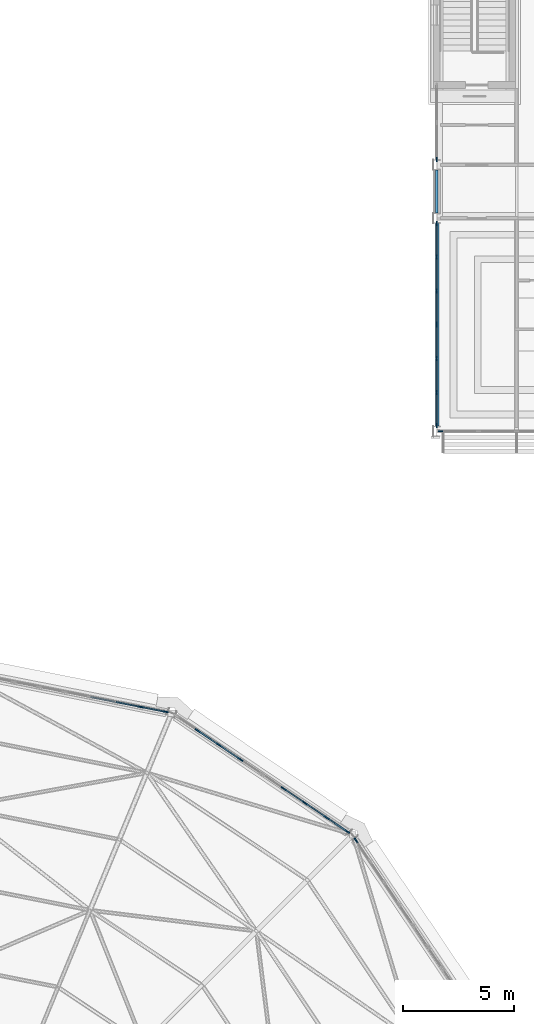
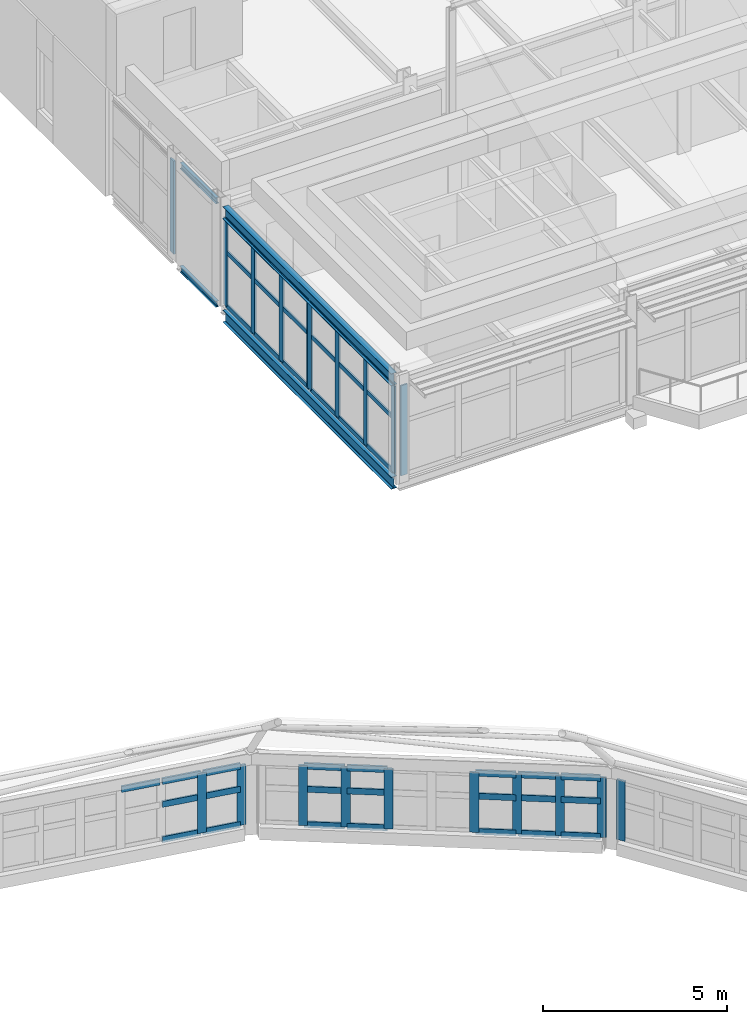
# One storey, part 27 of 68: 60 members, 4 beams, 7 elements without a shape of their own.
"""IFC4 building model written with IfcOpenShell, lengths in metres."""

from ifc_helpers import new_model, si_unit, direction, frame, origin, origin_2d, place, context, subcontext, project, spatial, rectangle, i_section, extrude, material, material_profile, profile_set, type_object, element, aggregate, save


model = new_model("IFC4")

# Units and contexts
model_context = context("Model", 3, precision=1e-05, world=origin(), true_north=direction((0.0, 1.0)))
body_context = subcontext(model_context, "Body", "Model", "MODEL_VIEW")
ifc_project = project(units=[si_unit("LENGTHUNIT", "METRE"), si_unit("AREAUNIT", "SQUARE_METRE"), si_unit("VOLUMEUNIT", "CUBIC_METRE"), si_unit("PLANEANGLEUNIT", "RADIAN"), si_unit("MASSUNIT", "GRAM", prefix="KILO")], contexts=[model_context])

# Site, building, storey
site_placement = place(None, origin())
site = spatial("IfcSite", under=ifc_project, at=site_placement, CompositionType="ELEMENT")
building_placement = place(site_placement, origin())
building = spatial("IfcBuilding", under=site, at=building_placement, Name="Kupolbacken Congress Centre", CompositionType="ELEMENT")
storey_placement = place(building_placement, frame((0.0, 0.0, 25.199951171875)))
storey = spatial("IfcBuildingStorey", under=building, at=storey_placement, Name="L07", CompositionType="ELEMENT", Elevation=25.199951171875)

# Beams
ifc_material_1 = material(Name="Steel S355", Category="steel")
ifc_material_profile_1 = material_profile(ifc_material_1, i_section(OverallWidth=0.10009765625, OverallDepth=0.199951171875, WebThickness=0.005615234375, FlangeThickness=0.008544921875, FilletRadius=0.011962890625, at=origin_2d()), Name="IPE 200")
ifc_profile_set_1 = profile_set([ifc_material_profile_1], Name="Steel S355")
beam_type_1 = type_object("IfcBeamType", Name="B01 beam IPE 200", PredefinedType="BEAM", material=ifc_profile_set_1)
for number, where, z_axis, x_axis, name in (
    (1, (64.800048828125, 132.22509765625, -0.239990234375), (0.0, 1.0, 0.0), (-1.0, 0.0, 0.0), "S/floor/T/L07/S034"),
    (2, (64.800048828125, 132.22509765625, 3.18994140625), (0.0, 1.0, 0.0), (-1.0, 0.0, 0.0), "S/floor/T/ROOF/S034"),
):
    element("IfcBeam", number, at=place(storey_placement, frame(where, z_axis=z_axis, x_axis=x_axis)), inside=storey, type_object=beam_type_1, Name=name, PredefinedType="BEAM", context=body_context, shape_type="SweptSolid", body=[
        extrude(i_section(OverallWidth=0.10009765625, OverallDepth=0.199951171875, WebThickness=0.005615234375, FlangeThickness=0.008544921875, FilletRadius=0.011962890625, at=origin_2d()), origin(), (0.0, 0.0, 1.0), 1.949951171875),
    ])
ifc_material_2 = material(Name="Steel S355", Category="steel")
ifc_material_profile_2 = material_profile(ifc_material_2, i_section(OverallWidth=0.179931640625, OverallDepth=0.39990234375, WebThickness=0.008544921875, FlangeThickness=0.013427734375, FilletRadius=0.02099609375, at=origin_2d()), Name="IPE 400")
ifc_profile_set_2 = profile_set([ifc_material_profile_2], Name="Steel S355")
beam_type_2 = type_object("IfcBeamType", Name="B07 beam IPE 400", PredefinedType="BEAM", material=ifc_profile_set_2)
for number, where, z_axis, x_axis, name in (
    (3, (64.800048828125, 122.625, -0.33984375), (0.0, 1.0, 0.0), (-1.0, 0.0, 0.0), "S/floor/T/L07/S033"),
    (4, (64.800048828125, 122.625, 3.090087890625), (0.0, 1.0, 0.0), (-1.0, 0.0, 0.0), "S/floor/T/ROOF/S033"),
):
    element("IfcBeam", number, at=place(storey_placement, frame(where, z_axis=z_axis, x_axis=x_axis)), inside=storey, type_object=beam_type_2, Name=name, PredefinedType="BEAM", context=body_context, shape_type="SweptSolid", body=[
        extrude(i_section(OverallWidth=0.179931640625, OverallDepth=0.39990234375, WebThickness=0.008544921875, FlangeThickness=0.013427734375, FilletRadius=0.02099609375, at=origin_2d()), origin(), (0.0, 0.0, 1.0), 9.14990234375),
    ])

# Curtain wall, member
ifc_material_3 = material(Name="Aluminium mullion-transom frame with glass", Category="aluminium")
curtain_wall_type_1 = type_object("IfcCurtainWallType", Name="CW1 curtain wall 7200x3600", PredefinedType="NOTDEFINED", material=ifc_material_3)
curtain_wall_1_placement = place(storey_placement, origin())
curtain_wall_1 = element("IfcCurtainWall", 5, at=curtain_wall_1_placement, inside=storey, type_object=curtain_wall_type_1, Name="E/T/S/L07/112/g0", PredefinedType="NOTDEFINED")
ifc_material_4 = material(Name="Aluminium alloy", Category="aluminium")
ifc_material_profile_3 = material_profile(ifc_material_4, rectangle(XDim=0.050048828125, YDim=0.199951171875, at=origin_2d()), Name="50 x 200")
ifc_profile_set_3 = profile_set([ifc_material_profile_3], Name="Aluminium alloy")
member_type_1 = type_object("IfcMemberType", Name="MU2 mullion 50x200", PredefinedType="MULLION", material=ifc_profile_set_3)
member_1_placement = place(storey_placement, frame((64.97509765625, 122.39990234375, 0.0), z_axis=(0.0, 0.0, 1.0), x_axis=(0.0, 1.0, 0.0)))
member_1 = element("IfcMember", 6, at=member_1_placement, type_object=member_type_1, Name="CW1 mullion 1", PredefinedType="MULLION", context=body_context, shape_type="SweptSolid", body=[
    extrude(rectangle(XDim=0.050048828125, YDim=0.199951171875, at=origin_2d()), origin(), (0.0, 0.0, 1.0), 2.989990234375),
])
aggregate(curtain_wall_1, [member_1])

curtain_wall_2_placement = place(storey_placement, origin())
curtain_wall_2 = element("IfcCurtainWall", 7, at=curtain_wall_2_placement, inside=storey, type_object=curtain_wall_type_1, Name="E/T/W/L07/121/g0", PredefinedType="NOTDEFINED")
member_2_placement = place(storey_placement, frame((64.800048828125, 134.64990234375, 0.0), z_axis=(0.0, 0.0, 1.0), x_axis=(1.0, 0.0, 0.0)))
member_2 = element("IfcMember", 8, at=member_2_placement, type_object=member_type_1, Name="CW1 mullion 3", PredefinedType="MULLION", context=body_context, shape_type="SweptSolid", body=[
    extrude(rectangle(XDim=0.050048828125, YDim=0.199951171875, at=origin_2d()), origin(), (0.0, 0.0, 1.0), 3.090087890625),
])
aggregate(curtain_wall_2, [member_2])

# Curtain wall, members
curtain_wall_3_placement = place(storey_placement, origin())
curtain_wall_3 = element("IfcCurtainWall", 9, at=curtain_wall_3_placement, inside=storey, type_object=curtain_wall_type_1, Name="E/T/W/L07/123/g0", PredefinedType="NOTDEFINED")
member_3_placement = place(storey_placement, frame((64.800048828125, 131.75, 0.0), z_axis=(0.0, 0.0, 1.0), x_axis=(1.0, 0.0, 0.0)))
member_3 = element("IfcMember", 10, at=member_3_placement, type_object=member_type_1, Name="CW1 mullion 1", PredefinedType="MULLION", context=body_context, shape_type="SweptSolid", body=[
    extrude(rectangle(XDim=0.050048828125, YDim=0.199951171875, at=origin_2d()), origin(), (0.0, 0.0, 1.0), 2.89013671875),
])
member_4_placement = place(storey_placement, frame((64.800048828125, 130.25, 0.0), z_axis=(0.0, 0.0, 1.0), x_axis=(1.0, 0.0, 0.0)))
member_4 = element("IfcMember", 11, at=member_4_placement, type_object=member_type_1, Name="CW1 mullion 2", PredefinedType="MULLION", context=body_context, shape_type="SweptSolid", body=[
    extrude(rectangle(XDim=0.050048828125, YDim=0.199951171875, at=origin_2d()), origin(), (0.0, 0.0, 1.0), 2.89013671875),
])
member_5_placement = place(storey_placement, frame((64.800048828125, 128.72509765625, 0.0), z_axis=(0.0, 0.0, 1.0), x_axis=(1.0, 0.0, 0.0)))
member_5 = element("IfcMember", 12, at=member_5_placement, type_object=member_type_1, Name="CW1 mullion 3", PredefinedType="MULLION", context=body_context, shape_type="SweptSolid", body=[
    extrude(rectangle(XDim=0.050048828125, YDim=0.199951171875, at=origin_2d()), origin(), (0.0, 0.0, 1.0), 2.89013671875),
])
member_6_placement = place(storey_placement, frame((64.800048828125, 127.22509765625, 0.0), z_axis=(0.0, 0.0, 1.0), x_axis=(1.0, 0.0, 0.0)))
member_6 = element("IfcMember", 13, at=member_6_placement, type_object=member_type_1, Name="CW1 mullion 4", PredefinedType="MULLION", context=body_context, shape_type="SweptSolid", body=[
    extrude(rectangle(XDim=0.050048828125, YDim=0.199951171875, at=origin_2d()), origin(), (0.0, 0.0, 1.0), 2.89013671875),
])

curtain_wall_4_placement = place(storey_placement, origin())
curtain_wall_4 = element("IfcCurtainWall", 14, at=curtain_wall_4_placement, inside=storey, type_object=curtain_wall_type_1, Name="E/T/W/L07/123/g1", PredefinedType="NOTDEFINED")
member_7_placement = place(storey_placement, frame((64.800048828125, 127.175048828125, 0.0), z_axis=(0.0, 0.0, 1.0), x_axis=(1.0, 0.0, 0.0)))
member_7 = element("IfcMember", 15, at=member_7_placement, type_object=member_type_1, Name="CW1 mullion 1", PredefinedType="MULLION", context=body_context, shape_type="SweptSolid", body=[
    extrude(rectangle(XDim=0.050048828125, YDim=0.199951171875, at=origin_2d()), origin(), (0.0, 0.0, 1.0), 2.89013671875),
])
member_8_placement = place(storey_placement, frame((64.800048828125, 125.675048828125, 0.0), z_axis=(0.0, 0.0, 1.0), x_axis=(1.0, 0.0, 0.0)))
member_8 = element("IfcMember", 16, at=member_8_placement, type_object=member_type_1, Name="CW1 mullion 2", PredefinedType="MULLION", context=body_context, shape_type="SweptSolid", body=[
    extrude(rectangle(XDim=0.050048828125, YDim=0.199951171875, at=origin_2d()), origin(), (0.0, 0.0, 1.0), 2.89013671875),
])
member_9_placement = place(storey_placement, frame((64.800048828125, 124.14990234375, 0.0), z_axis=(0.0, 0.0, 1.0), x_axis=(1.0, 0.0, 0.0)))
member_9 = element("IfcMember", 17, at=member_9_placement, type_object=member_type_1, Name="CW1 mullion 3", PredefinedType="MULLION", context=body_context, shape_type="SweptSolid", body=[
    extrude(rectangle(XDim=0.050048828125, YDim=0.199951171875, at=origin_2d()), origin(), (0.0, 0.0, 1.0), 2.89013671875),
])
member_10_placement = place(storey_placement, frame((64.800048828125, 122.64990234375, 0.0), z_axis=(0.0, 0.0, 1.0), x_axis=(1.0, 0.0, 0.0)))
member_10 = element("IfcMember", 18, at=member_10_placement, type_object=member_type_1, Name="CW1 mullion 4", PredefinedType="MULLION", context=body_context, shape_type="SweptSolid", body=[
    extrude(rectangle(XDim=0.050048828125, YDim=0.199951171875, at=origin_2d()), origin(), (0.0, 0.0, 1.0), 2.89013671875),
])

# Curtain wall, member
ifc_material_5 = material(Name="Aluminium mullion-transom frame with glass", Category="aluminium")
curtain_wall_type_2 = type_object("IfcCurtainWallType", Name="CW3 curtain wall 9830x3600", PredefinedType="NOTDEFINED", material=ifc_material_5)
curtain_wall_5_placement = place(storey_placement, origin())
curtain_wall_5 = element("IfcCurtainWall", 19, at=curtain_wall_5_placement, inside=storey, type_object=curtain_wall_type_2, Name="E/P/drum/cw/L07/09", PredefinedType="NOTDEFINED")
ifc_material_6 = material(Name="Aluminium alloy", Category="aluminium")
ifc_material_profile_4 = material_profile(ifc_material_6, rectangle(XDim=0.06005859375, YDim=0.25, at=origin_2d()), Name="60 x 250")
ifc_profile_set_4 = profile_set([ifc_material_profile_4], Name="Aluminium alloy")
member_type_2 = type_object("IfcMemberType", Name="MU3 mullion 60x250", PredefinedType="MULLION", material=ifc_profile_set_4)
member_11_placement = place(storey_placement, frame((61.15673828125, 103.968017578125, 0.400146484375), z_axis=(0.0, 0.0, 1.0), x_axis=(-0.82890762338, -0.559385512775, 0.0)))
member_11 = element("IfcMember", 20, at=member_11_placement, type_object=member_type_2, Name="CW3 mullion 9", PredefinedType="MULLION", context=body_context, shape_type="SweptSolid", body=[
    extrude(rectangle(XDim=0.06005859375, YDim=0.25, at=origin_2d()), origin(), (0.0, 0.0, 1.0), 1.989990234375),
])
aggregate(curtain_wall_5, [member_11])

# Curtain wall, members
curtain_wall_6_placement = place(storey_placement, origin())
curtain_wall_6 = element("IfcCurtainWall", 21, at=curtain_wall_6_placement, inside=storey, type_object=curtain_wall_type_2, Name="E/P/drum/cw/L07/10", PredefinedType="NOTDEFINED")
member_12_placement = place(storey_placement, frame((60.767822265625, 104.356689453125, 0.400146484375), z_axis=(0.0, 0.0, 1.0), x_axis=(-0.559385512775, -0.82890762338, 0.0)))
member_12 = element("IfcMember", 22, at=member_12_placement, type_object=member_type_2, Name="CW3 mullion 1", PredefinedType="MULLION", context=body_context, shape_type="SweptSolid", body=[
    extrude(rectangle(XDim=0.06005859375, YDim=0.25, at=origin_2d()), origin(), (0.0, 0.0, 1.0), 1.989990234375),
])
member_13_placement = place(storey_placement, frame((59.825927734375, 104.992431640625, 0.400146484375), z_axis=(0.0, 0.0, 1.0), x_axis=(-0.559385512775, -0.82890762338, 0.0)))
member_13 = element("IfcMember", 23, at=member_13_placement, type_object=member_type_2, Name="CW3 mullion 2", PredefinedType="MULLION", context=body_context, shape_type="SweptSolid", body=[
    extrude(rectangle(XDim=0.06005859375, YDim=0.25, at=origin_2d()), origin(), (0.0, 0.0, 1.0), 1.989990234375),
])
member_14_placement = place(storey_placement, frame((58.85888671875, 105.64501953125, 0.400146484375), z_axis=(0.0, 0.0, 1.0), x_axis=(-0.559385512775, -0.82890762338, 0.0)))
member_14 = element("IfcMember", 24, at=member_14_placement, type_object=member_type_2, Name="CW3 mullion 3", PredefinedType="MULLION", context=body_context, shape_type="SweptSolid", body=[
    extrude(rectangle(XDim=0.06005859375, YDim=0.25, at=origin_2d()), origin(), (0.0, 0.0, 1.0), 1.989990234375),
])
member_15_placement = place(storey_placement, frame((57.891845703125, 106.29736328125, 0.400146484375), z_axis=(0.0, 0.0, 1.0), x_axis=(-0.559385512775, -0.82890762338, 0.0)))
member_15 = element("IfcMember", 25, at=member_15_placement, type_object=member_type_2, Name="CW3 mullion 4", PredefinedType="MULLION", context=body_context, shape_type="SweptSolid", body=[
    extrude(rectangle(XDim=0.06005859375, YDim=0.25, at=origin_2d()), origin(), (0.0, 0.0, 1.0), 1.989990234375),
])
member_16_placement = place(storey_placement, frame((55.9580078125, 107.6025390625, 0.400146484375), z_axis=(0.0, 0.0, 1.0), x_axis=(-0.559385512775, -0.82890762338, 0.0)))
member_16 = element("IfcMember", 26, at=member_16_placement, type_object=member_type_2, Name="CW3 mullion 6", PredefinedType="MULLION", context=body_context, shape_type="SweptSolid", body=[
    extrude(rectangle(XDim=0.06005859375, YDim=0.25, at=origin_2d()), origin(), (0.0, 0.0, 1.0), 1.989990234375),
])
member_17_placement = place(storey_placement, frame((54.9912109375, 108.255126953125, 0.400146484375), z_axis=(0.0, 0.0, 1.0), x_axis=(-0.559385512775, -0.82890762338, 0.0)))
member_17 = element("IfcMember", 27, at=member_17_placement, type_object=member_type_2, Name="CW3 mullion 7", PredefinedType="MULLION", context=body_context, shape_type="SweptSolid", body=[
    extrude(rectangle(XDim=0.06005859375, YDim=0.25, at=origin_2d()), origin(), (0.0, 0.0, 1.0), 1.989990234375),
])
member_18_placement = place(storey_placement, frame((54.024169921875, 108.90771484375, 0.400146484375), z_axis=(0.0, 0.0, 1.0), x_axis=(-0.559385512775, -0.82890762338, 0.0)))
member_18 = element("IfcMember", 28, at=member_18_placement, type_object=member_type_2, Name="CW3 mullion 8", PredefinedType="MULLION", context=body_context, shape_type="SweptSolid", body=[
    extrude(rectangle(XDim=0.06005859375, YDim=0.25, at=origin_2d()), origin(), (0.0, 0.0, 1.0), 1.989990234375),
])

curtain_wall_7_placement = place(storey_placement, origin())
curtain_wall_7 = element("IfcCurtainWall", 29, at=curtain_wall_7_placement, inside=storey, type_object=curtain_wall_type_2, Name="E/P/drum/cw/L07/11", PredefinedType="NOTDEFINED")
member_19_placement = place(storey_placement, frame((52.5751953125, 109.754150390625, 0.400146484375), z_axis=(0.0, 0.0, 1.0), x_axis=(-0.193182327812, -0.981162875481, 0.0)))
member_19 = element("IfcMember", 30, at=member_19_placement, type_object=member_type_2, Name="CW3 mullion 1", PredefinedType="MULLION", context=body_context, shape_type="SweptSolid", body=[
    extrude(rectangle(XDim=0.06005859375, YDim=0.25, at=origin_2d()), origin(), (0.0, 0.0, 1.0), 1.989990234375),
])
member_20_placement = place(storey_placement, frame((51.459716796875, 109.9736328125, 0.400146484375), z_axis=(0.0, 0.0, 1.0), x_axis=(-0.193182327812, -0.981162875481, 0.0)))
member_20 = element("IfcMember", 31, at=member_20_placement, type_object=member_type_2, Name="CW3 mullion 2", PredefinedType="MULLION", context=body_context, shape_type="SweptSolid", body=[
    extrude(rectangle(XDim=0.06005859375, YDim=0.25, at=origin_2d()), origin(), (0.0, 0.0, 1.0), 1.989990234375),
])

# Member
ifc_material_7 = material(Name="Aluminium alloy", Category="aluminium")
ifc_material_profile_5 = material_profile(ifc_material_7, rectangle(XDim=0.050048828125, YDim=0.14990234375, at=origin_2d()), Name="50 x 150")
ifc_profile_set_5 = profile_set([ifc_material_profile_5], Name="Aluminium alloy")
member_type_3 = type_object("IfcMemberType", Name="TR2 transom 50x150", PredefinedType="MULLION", material=ifc_profile_set_5)
member_21_placement = place(storey_placement, frame((64.800048828125, 131.72509765625, 0.025146484375), z_axis=(0.0, -1.0, 0.0), x_axis=(1.0, 0.0, 0.0)))
member_21 = element("IfcMember", 32, at=member_21_placement, type_object=member_type_3, Name="CW1 transom 1.1", PredefinedType="MULLION", context=body_context, shape_type="SweptSolid", body=[
    extrude(rectangle(XDim=0.050048828125, YDim=0.14990234375, at=origin_2d()), origin(), (0.0, 0.0, 1.0), 1.4501953125),
])

member_22_placement = place(storey_placement, frame((64.800048828125, 131.72509765625, 1.800048828125), z_axis=(0.0, -1.0, 0.0), x_axis=(1.0, 0.0, 0.0)))
member_22 = element("IfcMember", 33, at=member_22_placement, type_object=member_type_3, Name="CW1 transom 1.2", PredefinedType="MULLION", context=body_context, shape_type="SweptSolid", body=[
    extrude(rectangle(XDim=0.050048828125, YDim=0.14990234375, at=origin_2d()), origin(), (0.0, 0.0, 1.0), 1.4501953125),
])

member_23_placement = place(storey_placement, frame((64.800048828125, 131.72509765625, 2.864990234375), z_axis=(0.0, -1.0, 0.0), x_axis=(1.0, 0.0, 0.0)))
member_23 = element("IfcMember", 34, at=member_23_placement, type_object=member_type_3, Name="CW1 transom 1.3", PredefinedType="MULLION", context=body_context, shape_type="SweptSolid", body=[
    extrude(rectangle(XDim=0.050048828125, YDim=0.14990234375, at=origin_2d()), origin(), (0.0, 0.0, 1.0), 1.4501953125),
])

member_24_placement = place(storey_placement, frame((64.800048828125, 130.22509765625, 0.025146484375), z_axis=(0.0, -1.0, 0.0), x_axis=(1.0, 0.0, 0.0)))
member_24 = element("IfcMember", 35, at=member_24_placement, type_object=member_type_3, Name="CW1 transom 2.1", PredefinedType="MULLION", context=body_context, shape_type="SweptSolid", body=[
    extrude(rectangle(XDim=0.050048828125, YDim=0.14990234375, at=origin_2d()), origin(), (0.0, 0.0, 1.0), 1.47509765625),
])

member_25_placement = place(storey_placement, frame((64.800048828125, 130.22509765625, 1.800048828125), z_axis=(0.0, -1.0, 0.0), x_axis=(1.0, 0.0, 0.0)))
member_25 = element("IfcMember", 36, at=member_25_placement, type_object=member_type_3, Name="CW1 transom 2.2", PredefinedType="MULLION", context=body_context, shape_type="SweptSolid", body=[
    extrude(rectangle(XDim=0.050048828125, YDim=0.14990234375, at=origin_2d()), origin(), (0.0, 0.0, 1.0), 1.47509765625),
])

member_26_placement = place(storey_placement, frame((64.800048828125, 130.22509765625, 2.864990234375), z_axis=(0.0, -1.0, 0.0), x_axis=(1.0, 0.0, 0.0)))
member_26 = element("IfcMember", 37, at=member_26_placement, type_object=member_type_3, Name="CW1 transom 2.3", PredefinedType="MULLION", context=body_context, shape_type="SweptSolid", body=[
    extrude(rectangle(XDim=0.050048828125, YDim=0.14990234375, at=origin_2d()), origin(), (0.0, 0.0, 1.0), 1.47509765625),
])

member_27_placement = place(storey_placement, frame((64.800048828125, 128.699951171875, 0.025146484375), z_axis=(0.0, -1.0, 0.0), x_axis=(1.0, 0.0, 0.0)))
member_27 = element("IfcMember", 38, at=member_27_placement, type_object=member_type_3, Name="CW1 transom 3.1", PredefinedType="MULLION", context=body_context, shape_type="SweptSolid", body=[
    extrude(rectangle(XDim=0.050048828125, YDim=0.14990234375, at=origin_2d()), origin(), (0.0, 0.0, 1.0), 1.449951171875),
])

member_28_placement = place(storey_placement, frame((64.800048828125, 128.699951171875, 1.800048828125), z_axis=(0.0, -1.0, 0.0), x_axis=(1.0, 0.0, 0.0)))
member_28 = element("IfcMember", 39, at=member_28_placement, type_object=member_type_3, Name="CW1 transom 3.2", PredefinedType="MULLION", context=body_context, shape_type="SweptSolid", body=[
    extrude(rectangle(XDim=0.050048828125, YDim=0.14990234375, at=origin_2d()), origin(), (0.0, 0.0, 1.0), 1.449951171875),
])

member_29_placement = place(storey_placement, frame((64.800048828125, 128.699951171875, 2.864990234375), z_axis=(0.0, -1.0, 0.0), x_axis=(1.0, 0.0, 0.0)))
member_29 = element("IfcMember", 40, at=member_29_placement, type_object=member_type_3, Name="CW1 transom 3.3", PredefinedType="MULLION", context=body_context, shape_type="SweptSolid", body=[
    extrude(rectangle(XDim=0.050048828125, YDim=0.14990234375, at=origin_2d()), origin(), (0.0, 0.0, 1.0), 1.449951171875),
])

aggregate(curtain_wall_3, [member_3, member_4, member_5, member_6, member_21, member_22, member_23, member_24, member_25, member_26, member_27, member_28, member_29])

member_30_placement = place(storey_placement, frame((64.800048828125, 127.14990234375, 0.025146484375), z_axis=(0.0, -1.0, 0.0), x_axis=(1.0, 0.0, 0.0)))
member_30 = element("IfcMember", 41, at=member_30_placement, type_object=member_type_3, Name="CW1 transom 1.1", PredefinedType="MULLION", context=body_context, shape_type="SweptSolid", body=[
    extrude(rectangle(XDim=0.050048828125, YDim=0.14990234375, at=origin_2d()), origin(), (0.0, 0.0, 1.0), 1.449951171875),
])

member_31_placement = place(storey_placement, frame((64.800048828125, 127.14990234375, 1.800048828125), z_axis=(0.0, -1.0, 0.0), x_axis=(1.0, 0.0, 0.0)))
member_31 = element("IfcMember", 42, at=member_31_placement, type_object=member_type_3, Name="CW1 transom 1.2", PredefinedType="MULLION", context=body_context, shape_type="SweptSolid", body=[
    extrude(rectangle(XDim=0.050048828125, YDim=0.14990234375, at=origin_2d()), origin(), (0.0, 0.0, 1.0), 1.449951171875),
])

member_32_placement = place(storey_placement, frame((64.800048828125, 127.14990234375, 2.864990234375), z_axis=(0.0, -1.0, 0.0), x_axis=(1.0, 0.0, 0.0)))
member_32 = element("IfcMember", 43, at=member_32_placement, type_object=member_type_3, Name="CW1 transom 1.3", PredefinedType="MULLION", context=body_context, shape_type="SweptSolid", body=[
    extrude(rectangle(XDim=0.050048828125, YDim=0.14990234375, at=origin_2d()), origin(), (0.0, 0.0, 1.0), 1.449951171875),
])

member_33_placement = place(storey_placement, frame((64.800048828125, 125.64990234375, 0.025146484375), z_axis=(0.0, -1.0, 0.0), x_axis=(1.0, 0.0, 0.0)))
member_33 = element("IfcMember", 44, at=member_33_placement, type_object=member_type_3, Name="CW1 transom 2.1", PredefinedType="MULLION", context=body_context, shape_type="SweptSolid", body=[
    extrude(rectangle(XDim=0.050048828125, YDim=0.14990234375, at=origin_2d()), origin(), (0.0, 0.0, 1.0), 1.474853515625),
])

member_34_placement = place(storey_placement, frame((64.800048828125, 125.64990234375, 1.800048828125), z_axis=(0.0, -1.0, 0.0), x_axis=(1.0, 0.0, 0.0)))
member_34 = element("IfcMember", 45, at=member_34_placement, type_object=member_type_3, Name="CW1 transom 2.2", PredefinedType="MULLION", context=body_context, shape_type="SweptSolid", body=[
    extrude(rectangle(XDim=0.050048828125, YDim=0.14990234375, at=origin_2d()), origin(), (0.0, 0.0, 1.0), 1.474853515625),
])

member_35_placement = place(storey_placement, frame((64.800048828125, 125.64990234375, 2.864990234375), z_axis=(0.0, -1.0, 0.0), x_axis=(1.0, 0.0, 0.0)))
member_35 = element("IfcMember", 46, at=member_35_placement, type_object=member_type_3, Name="CW1 transom 2.3", PredefinedType="MULLION", context=body_context, shape_type="SweptSolid", body=[
    extrude(rectangle(XDim=0.050048828125, YDim=0.14990234375, at=origin_2d()), origin(), (0.0, 0.0, 1.0), 1.474853515625),
])

member_36_placement = place(storey_placement, frame((64.800048828125, 124.125, 0.025146484375), z_axis=(0.0, -1.0, 0.0), x_axis=(1.0, 0.0, 0.0)))
member_36 = element("IfcMember", 47, at=member_36_placement, type_object=member_type_3, Name="CW1 transom 3.1", PredefinedType="MULLION", context=body_context, shape_type="SweptSolid", body=[
    extrude(rectangle(XDim=0.050048828125, YDim=0.14990234375, at=origin_2d()), origin(), (0.0, 0.0, 1.0), 1.449951171875),
])

member_37_placement = place(storey_placement, frame((64.800048828125, 124.125, 1.800048828125), z_axis=(0.0, -1.0, 0.0), x_axis=(1.0, 0.0, 0.0)))
member_37 = element("IfcMember", 48, at=member_37_placement, type_object=member_type_3, Name="CW1 transom 3.2", PredefinedType="MULLION", context=body_context, shape_type="SweptSolid", body=[
    extrude(rectangle(XDim=0.050048828125, YDim=0.14990234375, at=origin_2d()), origin(), (0.0, 0.0, 1.0), 1.449951171875),
])

member_38_placement = place(storey_placement, frame((64.800048828125, 124.125, 2.864990234375), z_axis=(0.0, -1.0, 0.0), x_axis=(1.0, 0.0, 0.0)))
member_38 = element("IfcMember", 49, at=member_38_placement, type_object=member_type_3, Name="CW1 transom 3.3", PredefinedType="MULLION", context=body_context, shape_type="SweptSolid", body=[
    extrude(rectangle(XDim=0.050048828125, YDim=0.14990234375, at=origin_2d()), origin(), (0.0, 0.0, 1.0), 1.449951171875),
])

aggregate(curtain_wall_4, [member_7, member_8, member_9, member_10, member_30, member_31, member_32, member_33, member_34, member_35, member_36, member_37, member_38])

ifc_material_8 = material(Name="Aluminium alloy", Category="aluminium")
ifc_material_profile_6 = material_profile(ifc_material_8, rectangle(XDim=0.06005859375, YDim=0.199951171875, at=origin_2d()), Name="60 x 200")
ifc_profile_set_6 = profile_set([ifc_material_profile_6], Name="Aluminium alloy")
member_type_4 = type_object("IfcMemberType", Name="TR3 transom 60x200", PredefinedType="MULLION", material=ifc_profile_set_6)
member_39_placement = place(storey_placement, frame((60.742919921875, 104.373291015625, 0.429931640625), z_axis=(-0.8288618188, 0.559453380842, 0.0), x_axis=(-0.559453380842, -0.8288618188, 0.0)))
member_39 = element("IfcMember", 50, at=member_39_placement, type_object=member_type_4, Name="CW3 transom 1.1", PredefinedType="MULLION", context=body_context, shape_type="SweptSolid", body=[
    extrude(rectangle(XDim=0.06005859375, YDim=0.199951171875, at=origin_2d()), origin(), (0.0, 0.0, 1.0), 1.07666015625),
])

member_40_placement = place(storey_placement, frame((60.742919921875, 104.373291015625, 1.60009765625), z_axis=(-0.8288618188, 0.559453380842, 0.0), x_axis=(-0.559453380842, -0.8288618188, 0.0)))
member_40 = element("IfcMember", 51, at=member_40_placement, type_object=member_type_4, Name="CW3 transom 1.2", PredefinedType="MULLION", context=body_context, shape_type="SweptSolid", body=[
    extrude(rectangle(XDim=0.06005859375, YDim=0.199951171875, at=origin_2d()), origin(), (0.0, 0.0, 1.0), 1.07666015625),
])

member_41_placement = place(storey_placement, frame((60.742919921875, 104.373291015625, 2.360107421875), z_axis=(-0.8288618188, 0.559453380842, 0.0), x_axis=(-0.559453380842, -0.8288618188, 0.0)))
member_41 = element("IfcMember", 52, at=member_41_placement, type_object=member_type_4, Name="CW3 transom 1.3", PredefinedType="MULLION", context=body_context, shape_type="SweptSolid", body=[
    extrude(rectangle(XDim=0.06005859375, YDim=0.199951171875, at=origin_2d()), origin(), (0.0, 0.0, 1.0), 1.07666015625),
])

member_42_placement = place(storey_placement, frame((59.801025390625, 105.00927734375, 0.429931640625), z_axis=(-0.828948418317, 0.559325057342, 0.0), x_axis=(-0.559325057342, -0.828948418317, 0.0)))
member_42 = element("IfcMember", 53, at=member_42_placement, type_object=member_type_4, Name="CW3 transom 2.1", PredefinedType="MULLION", context=body_context, shape_type="SweptSolid", body=[
    extrude(rectangle(XDim=0.06005859375, YDim=0.199951171875, at=origin_2d()), origin(), (0.0, 0.0, 1.0), 1.1064453125),
])

member_43_placement = place(storey_placement, frame((59.801025390625, 105.00927734375, 1.60009765625), z_axis=(-0.828948418317, 0.559325057342, 0.0), x_axis=(-0.559325057342, -0.828948418317, 0.0)))
member_43 = element("IfcMember", 54, at=member_43_placement, type_object=member_type_4, Name="CW3 transom 2.2", PredefinedType="MULLION", context=body_context, shape_type="SweptSolid", body=[
    extrude(rectangle(XDim=0.06005859375, YDim=0.199951171875, at=origin_2d()), origin(), (0.0, 0.0, 1.0), 1.1064453125),
])

member_44_placement = place(storey_placement, frame((59.801025390625, 105.00927734375, 2.360107421875), z_axis=(-0.828948418317, 0.559325057342, 0.0), x_axis=(-0.559325057342, -0.828948418317, 0.0)))
member_44 = element("IfcMember", 55, at=member_44_placement, type_object=member_type_4, Name="CW3 transom 2.3", PredefinedType="MULLION", context=body_context, shape_type="SweptSolid", body=[
    extrude(rectangle(XDim=0.06005859375, YDim=0.199951171875, at=origin_2d()), origin(), (0.0, 0.0, 1.0), 1.1064453125),
])

member_45_placement = place(storey_placement, frame((58.833984375, 105.66162109375, 0.429931640625), z_axis=(-0.8288461165, 0.559476643983, 0.0), x_axis=(-0.559476643983, -0.8288461165, 0.0)))
member_45 = element("IfcMember", 56, at=member_45_placement, type_object=member_type_4, Name="CW3 transom 3.1", PredefinedType="MULLION", context=body_context, shape_type="SweptSolid", body=[
    extrude(rectangle(XDim=0.06005859375, YDim=0.199951171875, at=origin_2d()), origin(), (0.0, 0.0, 1.0), 1.106689453125),
])

member_46_placement = place(storey_placement, frame((58.833984375, 105.66162109375, 1.60009765625), z_axis=(-0.8288461165, 0.559476643983, 0.0), x_axis=(-0.559476643983, -0.8288461165, 0.0)))
member_46 = element("IfcMember", 57, at=member_46_placement, type_object=member_type_4, Name="CW3 transom 3.2", PredefinedType="MULLION", context=body_context, shape_type="SweptSolid", body=[
    extrude(rectangle(XDim=0.06005859375, YDim=0.199951171875, at=origin_2d()), origin(), (0.0, 0.0, 1.0), 1.106689453125),
])

member_47_placement = place(storey_placement, frame((58.833984375, 105.66162109375, 2.360107421875), z_axis=(-0.8288461165, 0.559476643983, 0.0), x_axis=(-0.559476643983, -0.8288461165, 0.0)))
member_47 = element("IfcMember", 58, at=member_47_placement, type_object=member_type_4, Name="CW3 transom 3.3", PredefinedType="MULLION", context=body_context, shape_type="SweptSolid", body=[
    extrude(rectangle(XDim=0.06005859375, YDim=0.199951171875, at=origin_2d()), origin(), (0.0, 0.0, 1.0), 1.106689453125),
])

member_48_placement = place(storey_placement, frame((55.93310546875, 107.619384765625, 0.429931640625), z_axis=(-0.828948418317, 0.559325057342, 0.0), x_axis=(-0.559325057342, -0.828948418317, 0.0)))
member_48 = element("IfcMember", 59, at=member_48_placement, type_object=member_type_4, Name="CW3 transom 6.1", PredefinedType="MULLION", context=body_context, shape_type="SweptSolid", body=[
    extrude(rectangle(XDim=0.06005859375, YDim=0.199951171875, at=origin_2d()), origin(), (0.0, 0.0, 1.0), 1.1064453125),
])

member_49_placement = place(storey_placement, frame((55.93310546875, 107.619384765625, 1.60009765625), z_axis=(-0.828948418317, 0.559325057342, 0.0), x_axis=(-0.559325057342, -0.828948418317, 0.0)))
member_49 = element("IfcMember", 60, at=member_49_placement, type_object=member_type_4, Name="CW3 transom 6.2", PredefinedType="MULLION", context=body_context, shape_type="SweptSolid", body=[
    extrude(rectangle(XDim=0.06005859375, YDim=0.199951171875, at=origin_2d()), origin(), (0.0, 0.0, 1.0), 1.1064453125),
])

member_50_placement = place(storey_placement, frame((55.93310546875, 107.619384765625, 2.360107421875), z_axis=(-0.828948418317, 0.559325057342, 0.0), x_axis=(-0.559325057342, -0.828948418317, 0.0)))
member_50 = element("IfcMember", 61, at=member_50_placement, type_object=member_type_4, Name="CW3 transom 6.3", PredefinedType="MULLION", context=body_context, shape_type="SweptSolid", body=[
    extrude(rectangle(XDim=0.06005859375, YDim=0.199951171875, at=origin_2d()), origin(), (0.0, 0.0, 1.0), 1.1064453125),
])

member_51_placement = place(storey_placement, frame((54.96630859375, 108.27197265625, 0.429931640625), z_axis=(-0.828948418317, 0.559325057342, 0.0), x_axis=(-0.559325057342, -0.828948418317, 0.0)))
member_51 = element("IfcMember", 62, at=member_51_placement, type_object=member_type_4, Name="CW3 transom 7.1", PredefinedType="MULLION", context=body_context, shape_type="SweptSolid", body=[
    extrude(rectangle(XDim=0.06005859375, YDim=0.199951171875, at=origin_2d()), origin(), (0.0, 0.0, 1.0), 1.1064453125),
])

member_52_placement = place(storey_placement, frame((54.96630859375, 108.27197265625, 1.60009765625), z_axis=(-0.828948418317, 0.559325057342, 0.0), x_axis=(-0.559325057342, -0.828948418317, 0.0)))
member_52 = element("IfcMember", 63, at=member_52_placement, type_object=member_type_4, Name="CW3 transom 7.2", PredefinedType="MULLION", context=body_context, shape_type="SweptSolid", body=[
    extrude(rectangle(XDim=0.06005859375, YDim=0.199951171875, at=origin_2d()), origin(), (0.0, 0.0, 1.0), 1.1064453125),
])

member_53_placement = place(storey_placement, frame((54.96630859375, 108.27197265625, 2.360107421875), z_axis=(-0.828948418317, 0.559325057342, 0.0), x_axis=(-0.559325057342, -0.828948418317, 0.0)))
member_53 = element("IfcMember", 64, at=member_53_placement, type_object=member_type_4, Name="CW3 transom 7.3", PredefinedType="MULLION", context=body_context, shape_type="SweptSolid", body=[
    extrude(rectangle(XDim=0.06005859375, YDim=0.199951171875, at=origin_2d()), origin(), (0.0, 0.0, 1.0), 1.1064453125),
])

aggregate(curtain_wall_6, [member_12, member_13, member_14, member_15, member_16, member_17, member_18, member_39, member_40, member_41, member_42, member_43, member_44, member_45, member_46, member_47, member_48, member_49, member_50, member_51, member_52, member_53])

member_54_placement = place(storey_placement, frame((52.5458984375, 109.759765625, 0.429931640625), z_axis=(-0.98112612336, 0.193368896309, 0.0), x_axis=(-0.193368896309, -0.98112612336, 0.0)))
member_54 = element("IfcMember", 65, at=member_54_placement, type_object=member_type_4, Name="CW3 transom 1.1", PredefinedType="MULLION", context=body_context, shape_type="SweptSolid", body=[
    extrude(rectangle(XDim=0.06005859375, YDim=0.199951171875, at=origin_2d()), origin(), (0.0, 0.0, 1.0), 1.076904296875),
])

member_55_placement = place(storey_placement, frame((52.5458984375, 109.759765625, 1.60009765625), z_axis=(-0.98112612336, 0.193368896309, 0.0), x_axis=(-0.193368896309, -0.98112612336, 0.0)))
member_55 = element("IfcMember", 66, at=member_55_placement, type_object=member_type_4, Name="CW3 transom 1.2", PredefinedType="MULLION", context=body_context, shape_type="SweptSolid", body=[
    extrude(rectangle(XDim=0.06005859375, YDim=0.199951171875, at=origin_2d()), origin(), (0.0, 0.0, 1.0), 1.076904296875),
])

member_56_placement = place(storey_placement, frame((52.5458984375, 109.759765625, 2.360107421875), z_axis=(-0.98112612336, 0.193368896309, 0.0), x_axis=(-0.193368896309, -0.98112612336, 0.0)))
member_56 = element("IfcMember", 67, at=member_56_placement, type_object=member_type_4, Name="CW3 transom 1.3", PredefinedType="MULLION", context=body_context, shape_type="SweptSolid", body=[
    extrude(rectangle(XDim=0.06005859375, YDim=0.199951171875, at=origin_2d()), origin(), (0.0, 0.0, 1.0), 1.076904296875),
])

member_57_placement = place(storey_placement, frame((51.430419921875, 109.9794921875, 0.429931640625), z_axis=(-0.981161575945, 0.193188927968, 0.0), x_axis=(-0.193188927968, -0.981161575945, 0.0)))
member_57 = element("IfcMember", 68, at=member_57_placement, type_object=member_type_4, Name="CW3 transom 2.1", PredefinedType="MULLION", context=body_context, shape_type="SweptSolid", body=[
    extrude(rectangle(XDim=0.06005859375, YDim=0.199951171875, at=origin_2d()), origin(), (0.0, 0.0, 1.0), 1.10693359375),
])

member_58_placement = place(storey_placement, frame((51.430419921875, 109.9794921875, 1.60009765625), z_axis=(-0.981161575945, 0.193188927968, 0.0), x_axis=(-0.193188927968, -0.981161575945, 0.0)))
member_58 = element("IfcMember", 69, at=member_58_placement, type_object=member_type_4, Name="CW3 transom 2.2", PredefinedType="MULLION", context=body_context, shape_type="SweptSolid", body=[
    extrude(rectangle(XDim=0.06005859375, YDim=0.199951171875, at=origin_2d()), origin(), (0.0, 0.0, 1.0), 1.10693359375),
])

member_59_placement = place(storey_placement, frame((51.430419921875, 109.9794921875, 2.360107421875), z_axis=(-0.981161575945, 0.193188927968, 0.0), x_axis=(-0.193188927968, -0.981161575945, 0.0)))
member_59 = element("IfcMember", 70, at=member_59_placement, type_object=member_type_4, Name="CW3 transom 2.3", PredefinedType="MULLION", context=body_context, shape_type="SweptSolid", body=[
    extrude(rectangle(XDim=0.06005859375, YDim=0.199951171875, at=origin_2d()), origin(), (0.0, 0.0, 1.0), 1.10693359375),
])

member_60_placement = place(storey_placement, frame((50.285400390625, 110.204833984375, 2.360107421875), z_axis=(-0.981153342462, 0.193230739208, 0.0), x_axis=(-0.193230739208, -0.981153342462, 0.0)))
member_60 = element("IfcMember", 71, at=member_60_placement, type_object=member_type_4, Name="CW3 transom 3.3", PredefinedType="MULLION", context=body_context, shape_type="SweptSolid", body=[
    extrude(rectangle(XDim=0.06005859375, YDim=0.199951171875, at=origin_2d()), origin(), (0.0, 0.0, 1.0), 1.106689453125),
])

aggregate(curtain_wall_7, [member_19, member_20, member_54, member_55, member_56, member_57, member_58, member_59, member_60])

save(model, "model.ifc")
